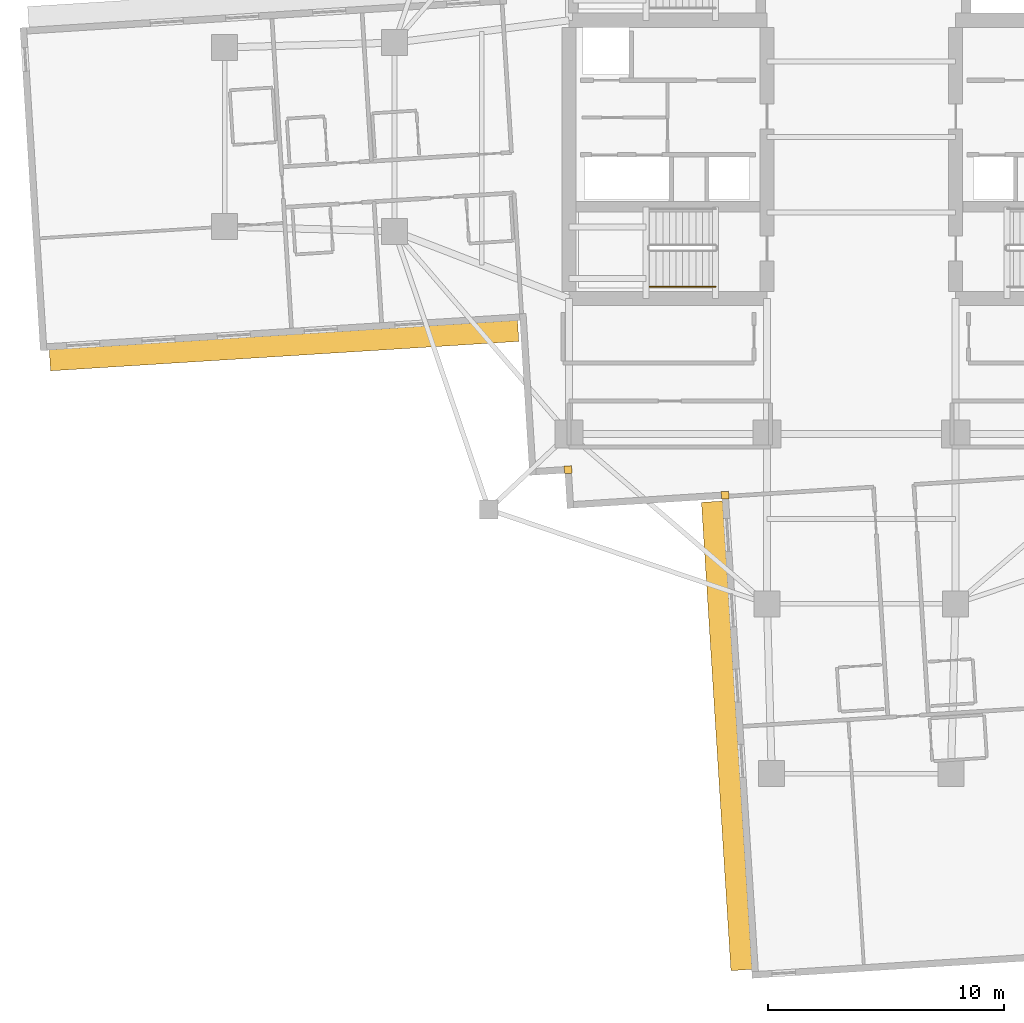
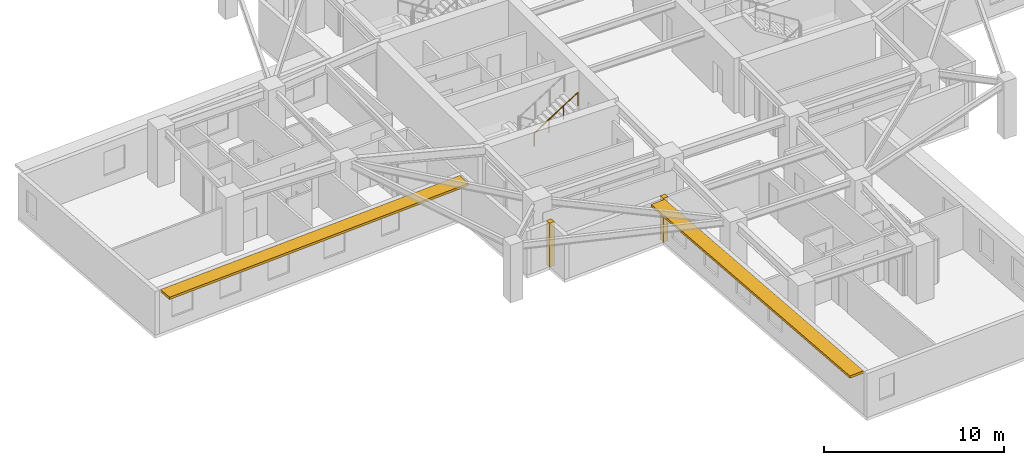
# One storey, part 10 of 14: 2 coverings, 2 shading devices, 1 railing.
"""IFC4 building model written with IfcOpenShell, lengths in metres."""

import ifcopenshell
import ifcopenshell.guid

model = None  # the IFC model being written
_history = None  # IfcOwnerHistory: only IFC2X3 demands one
_inside = {}  # id of a spatial element -> (the spatial element, [elements in it])
_under = {}  # id of a project, library or spatial element -> (it, [spatial elements below it])
_declared = {}  # id of a project -> (the project, [libraries it declares])
_typed = {}  # id of a type object -> (the type object, [elements of that type])
_made_of = {}  # id of a material, layer set ... -> (it, [elements and type objects made of it])


def new_model(schema):
    """Start an empty IFC model of exactly this schema.

    Asked for "IFC4X3", IfcOpenShell would pick the latest addendum, in which some entities
    have other attributes; the version numbers below select the first issue.
    IFC2X3 requires an IfcOwnerHistory on every rooted entity: one is made here for all.
    """
    global model, _history
    if schema == "IFC4X3":
        model = ifcopenshell.file(schema_version=(4, 3, 0, 0))
    else:
        model = ifcopenshell.file(schema=schema)
    _inside.clear()
    _under.clear()
    _declared.clear()
    _typed.clear()
    _made_of.clear()
    _history = None
    if model.schema == "IFC2X3":
        org = make("IfcOrganization", Name="unknown")
        user = make(
            "IfcPersonAndOrganization",
            ThePerson=make("IfcPerson", FamilyName="unknown"),
            TheOrganization=org,
        )
        app = make(
            "IfcApplication",
            ApplicationDeveloper=org,
            Version="unknown",
            ApplicationFullName="unknown",
            ApplicationIdentifier="unknown",
        )
        _history = make(
            "IfcOwnerHistory",
            OwningUser=user,
            OwningApplication=app,
            ChangeAction="ADDED",
            CreationDate=0,
        )
    return model


def make(cls, **values):
    """One entity of the class cls with the attributes given. An attribute that is None is left unset."""
    return model.create_entity(
        cls, **{name: value for name, value in values.items() if value is not None}
    )


def rooted(cls, **values):
    """An entity with a GlobalId (a new one), such as an element, a storey or a relation."""
    return make(cls, GlobalId=ifcopenshell.guid.new(), OwnerHistory=_history, **values)


def si_unit(unit_type, name, prefix=None):
    """IfcSIUnit, for example si_unit("LENGTHUNIT", "METRE", prefix="MILLI")."""
    return make("IfcSIUnit", UnitType=unit_type, Prefix=prefix, Name=name)


def assignment(units):
    """IfcUnitAssignment: the units of a project."""
    return None if units is None else make("IfcUnitAssignment", Units=units)


def point(xyz):
    """IfcCartesianPoint."""
    return None if xyz is None else make("IfcCartesianPoint", Coordinates=xyz)


def direction(xyz):
    """IfcDirection."""
    return None if xyz is None else make("IfcDirection", DirectionRatios=xyz)


def frame(location, z_axis=None, x_axis=None):
    """IfcAxis2Placement3D, a coordinate frame: its origin and axes. An axis left out is left unset."""
    return make(
        "IfcAxis2Placement3D",
        Location=point(location),
        Axis=direction(z_axis),
        RefDirection=direction(x_axis),
    )


def frame_2d(location, x_axis=None):
    """IfcAxis2Placement2D, a coordinate frame in the plane: its origin and x axis."""
    return make(
        "IfcAxis2Placement2D", Location=point(location), RefDirection=direction(x_axis)
    )


def origin():
    """The frame at (0, 0, 0) with its axes left unset."""
    return frame((0.0, 0.0, 0.0))


def origin_2d():
    """The frame at (0, 0) in the plane with its x axis left unset."""
    return frame_2d((0.0, 0.0))


def place(relative_to, where):
    """IfcLocalPlacement: puts the frame where relative to a parent placement (None: the world)."""
    return make(
        "IfcLocalPlacement", PlacementRelTo=relative_to, RelativePlacement=where
    )


def context(
    kind, dimensions, precision=None, world=None, true_north=None, identifier=None
):
    """IfcGeometricRepresentationContext, for example the 3D "Model" context."""
    return make(
        "IfcGeometricRepresentationContext",
        ContextIdentifier=identifier,
        ContextType=kind,
        CoordinateSpaceDimension=dimensions,
        Precision=precision,
        WorldCoordinateSystem=world,
        TrueNorth=true_north,
    )


def subcontext(parent, identifier, kind, view, scale=None):
    """IfcGeometricRepresentationSubContext, for example "Body" below "Model"."""
    return make(
        "IfcGeometricRepresentationSubContext",
        ContextIdentifier=identifier,
        ContextType=kind,
        ParentContext=parent,
        TargetScale=scale,
        TargetView=view,
    )


def project(units=None, contexts=None):
    """IfcProject with its units and contexts."""
    return rooted(
        "IfcProject",
        Name="project",
        RepresentationContexts=contexts,
        UnitsInContext=assignment(units),
    )


def spatial(cls, under=None, at=None, **own):
    """A site, building, storey or space (cls), placed at a placement, below another one or the project."""
    s = rooted(cls, ObjectPlacement=at, **own)
    if under is not None:
        _under.setdefault(under.id(), (under, []))[1].append(s)
    return s


def profile(cls, at=None, kind="AREA", **sizes):
    """A parametric profile (cls). Its sizes go by their IFC names, for example OverallWidth=200.0."""
    return make(cls, ProfileType=kind, Position=at, **sizes)


def rectangle(**sizes):
    """IfcRectangleProfileDef."""
    return profile("IfcRectangleProfileDef", **sizes)


def circle(**sizes):
    """IfcCircleProfileDef."""
    return profile("IfcCircleProfileDef", **sizes)


def extrude(swept, where, along, depth):
    """IfcExtrudedAreaSolid: the profile swept, set in the frame where, extruded along a direction by depth."""
    return make(
        "IfcExtrudedAreaSolid",
        SweptArea=swept,
        Position=where,
        ExtrudedDirection=direction(along),
        Depth=depth,
    )


def shape(context_of_items, identifier, shape_type, items):
    """IfcShapeRepresentation: the items that make up one representation, for example the "Body"."""
    return make(
        "IfcShapeRepresentation",
        ContextOfItems=context_of_items,
        RepresentationIdentifier=identifier,
        RepresentationType=shape_type,
        Items=items,
    )


def material(Name=None, Category=None):
    """IfcMaterial."""
    return make("IfcMaterial", Name=Name, Category=Category)


def layer(
    of_material, thickness, ventilated=None, Name=None, Category=None, Priority=None
):
    """IfcMaterialLayer: one layer of a wall or slab, of a material (None: an air gap)."""
    return make(
        "IfcMaterialLayer",
        Material=of_material,
        LayerThickness=thickness,
        IsVentilated=ventilated,
        Name=Name,
        Category=Category,
        Priority=Priority,
    )


def layer_set(layers, Name=None):
    """IfcMaterialLayerSet."""
    return make("IfcMaterialLayerSet", MaterialLayers=layers, LayerSetName=Name)


def made_of(thing, what):
    """Note that an element or type object is made of a material, layer set ...; save() writes the relation."""
    if what is not None:
        _made_of.setdefault(what.id(), (what, []))[1].append(thing)
    return thing


def type_object(cls, material=None, **own):
    """A type object (cls), such as IfcWallType, which elements share."""
    return made_of(rooted(cls, **own), material)


def element(
    cls,
    number,
    at=None,
    inside=None,
    cuts=None,
    type_object=None,
    material=None,
    context=None,
    identifier="Body",
    shape_type=None,
    held_by="IfcProductDefinitionShape",
    body=None,
    shapes=None,
    **own,
):
    """One element of the class cls, such as IfcWall. Its Tag is "e" and its number.

    at: its placement. inside: the storey or other place that contains it. cuts: it is an
    opening in that element (IfcRelVoidsElement). A single representation is given by context,
    identifier, shape_type and body (its items); several are given by shapes. held_by: the class
    of the entity that holds the representations. save() writes the other relations.
    """
    e = rooted(cls, Tag="e%d" % number, ObjectPlacement=at, **own)
    if body is not None:
        shapes = [shape(context, identifier, shape_type, body)]
    if shapes is not None:
        e.Representation = make(held_by, Representations=shapes)
    if inside is not None:
        _inside.setdefault(inside.id(), (inside, []))[1].append(e)
    if cuts is not None:
        rooted(
            "IfcRelVoidsElement", RelatingBuildingElement=cuts, RelatedOpeningElement=e
        )
    if type_object is not None:
        _typed.setdefault(type_object.id(), (type_object, []))[1].append(e)
    return made_of(e, material)


def aggregate(whole, parts):
    """IfcRelAggregates: a whole, such as a stair, and the parts it consists of."""
    return rooted("IfcRelAggregates", RelatingObject=whole, RelatedObjects=parts)


def save(model, path):
    """Write the relations noted so far, then the file.

    IfcRelAggregates (storeys below a building ...), IfcRelContainedInSpatialStructure (elements
    in a storey), IfcRelDefinesByType, IfcRelAssociatesMaterial and IfcRelDeclares: one each for
    every whole, place, type object, material and project.
    """
    for whole, parts in _under.values():
        aggregate(whole, parts)
    for where, things in _inside.values():
        rooted(
            "IfcRelContainedInSpatialStructure",
            RelatedElements=things,
            RelatingStructure=where,
        )
    for kind, things in _typed.values():
        rooted("IfcRelDefinesByType", RelatedObjects=things, RelatingType=kind)
    for what, things in _made_of.values():
        rooted("IfcRelAssociatesMaterial", RelatedObjects=things, RelatingMaterial=what)
    for by, libraries in _declared.values():
        rooted("IfcRelDeclares", RelatingContext=by, RelatedDefinitions=libraries)
    model.write(path)


model = new_model("IFC4")

# Units and contexts
model_context = context("Model", 3, precision=1e-05, world=origin(), true_north=direction((0.0, 1.0)))
body_context = subcontext(model_context, "Body", "Model", "MODEL_VIEW")
ifc_project = project(units=[si_unit("LENGTHUNIT", "METRE"), si_unit("AREAUNIT", "SQUARE_METRE"), si_unit("VOLUMEUNIT", "CUBIC_METRE"), si_unit("PLANEANGLEUNIT", "RADIAN"), si_unit("MASSUNIT", "GRAM", prefix="KILO")], contexts=[model_context])

# Site, building, storey
site_placement = place(None, origin())
site = spatial("IfcSite", under=ifc_project, at=site_placement, CompositionType="ELEMENT")
building_placement = place(site_placement, origin())
building = spatial("IfcBuilding", under=site, at=building_placement, Name="Qingluan Cross Belvedere", CompositionType="ELEMENT")
storey_placement = place(building_placement, frame((0.0, 0.0, 128.10009765625)))
storey = spatial("IfcBuildingStorey", under=building, at=storey_placement, Name="L32", CompositionType="ELEMENT", Elevation=128.10009765625)

# Coverings
ifc_material_1 = material(Name="Precast concrete C45", Category="concrete")
ifc_layer_1 = layer(ifc_material_1, 0.1201171875, Name="ConcreteSpandrelCladding_120")
ifc_layer_set_1 = layer_set([ifc_layer_1], Name="Precast concrete C45")
covering_type = type_object("IfcCoveringType", Name="ConcreteSpandrelCladding_120", PredefinedType="CLADDING", material=ifc_layer_set_1)
for number, where, z_axis, x_axis, name in (
    (1, (-12.438720703125, -14.10888671875, 0.0), (0.0, 0.0, 1.0), (0.998026728428, 0.062790519529, 0.0), "Corner closure L32-SW1"),
    (2, (-5.77734375, -15.192626953125, 0.0), (0.0, 0.0, 1.0), (0.998026728428, 0.062790519529, 0.0), "Corner closure L32-SW2"),
):
    element("IfcCovering", number, at=place(storey_placement, frame(where, z_axis=z_axis, x_axis=x_axis)), inside=storey, type_object=covering_type, Name=name, PredefinedType="CLADDING", context=body_context, shape_type="SweptSolid", body=[
        extrude(rectangle(XDim=0.320068359375, YDim=0.320068359375, at=origin_2d()), origin(), (0.0, 0.0, 1.0), 2.969970703125),
    ])

# Shading devices
ifc_material_2 = material(Name="Precast concrete C45", Category="concrete")
ifc_layer_2 = layer(ifc_material_2, 0.159912109375, Name="ConcreteSunshadeBand_900")
ifc_layer_set_2 = layer_set([ifc_layer_2], Name="Precast concrete C45")
shading_device_type = type_object("IfcShadingDeviceType", Name="ConcreteSunshadeBand_900", PredefinedType="USERDEFINED", material=ifc_layer_set_2)
for number, where, z_axis, x_axis, name in (
    (3, (-24.48291015625, -8.8447265625, 2.7900390625), (0.0, 0.0, 1.0), (0.998026688207, 0.062791158819, 0.0), "Concrete SUNSHADE L32-WB"),
    (4, (-5.70654296875, -25.3984375, 2.7900390625), (0.0, 0.0, 1.0), (0.062786203294, -0.998026999973, 0.0), "Concrete SUNSHADE L32-SA"),
):
    element("IfcShadingDevice", number, at=place(storey_placement, frame(where, z_axis=z_axis, x_axis=x_axis)), inside=storey, type_object=shading_device_type, Name=name, ObjectType="SUNSHADE", PredefinedType="USERDEFINED", context=body_context, shape_type="SweptSolid", body=[
        extrude(rectangle(XDim=19.89990234375, YDim=0.89990234375, at=origin_2d()), origin(), (0.0, 0.0, 1.0), 0.159912109375),
    ])

# Railing
ifc_material_3 = material(Name="Brushed stainless steel tubular handrail", Category="steel")
railing_type = type_object("IfcRailingType", Name="StairPitchHandrail_900", PredefinedType="HANDRAIL", material=ifc_material_3)
railing_placement = place(storey_placement, frame((-8.97998046875, -6.35009765625, 2.127197265625)))
element("IfcRailing", 5, at=railing_placement, inside=storey, type_object=railing_type, Name="L32 ST1 stair handrail 2", PredefinedType="HANDRAIL", context=body_context, shape_type="SweptSolid", body=[
    extrude(circle(Radius=0.02392578125, at=origin_2d()), frame((0.0, 0.0, 0.8759765625), z_axis=(0.844908973607, 0.0, 0.534910110503), x_axis=(0.0, 1.0, 0.0)), (0.0, 0.0, 1.0), 3.31396484375),
    extrude(circle(Radius=0.02099609375, at=origin_2d()), origin(), (0.0, 0.0, 1.0), 0.851806640625),
    extrude(circle(Radius=0.02099609375, at=origin_2d()), frame((0.933349609375, 0.0, 0.5908203125)), (0.0, 0.0, 1.0), 0.851806640625),
    extrude(circle(Radius=0.02099609375, at=origin_2d()), frame((1.86669921875, 0.0, 1.181884765625)), (0.0, 0.0, 1.0), 0.851806640625),
    extrude(circle(Radius=0.02099609375, at=origin_2d()), frame((2.800048828125, 0.0, 1.772705078125)), (0.0, 0.0, 1.0), 0.851806640625),
])

save(model, "model.ifc")
